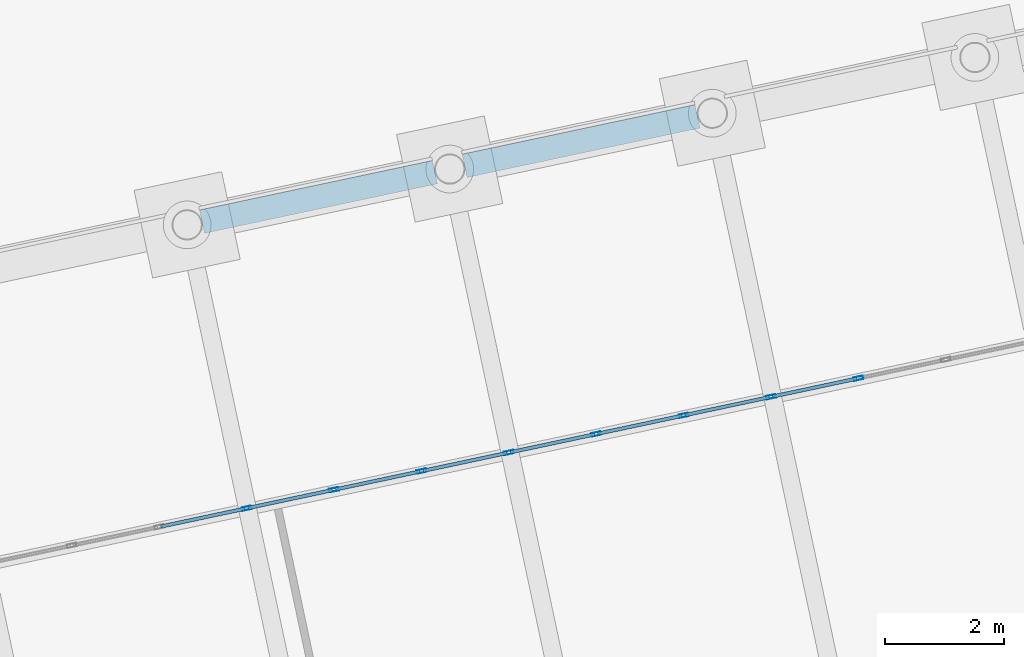
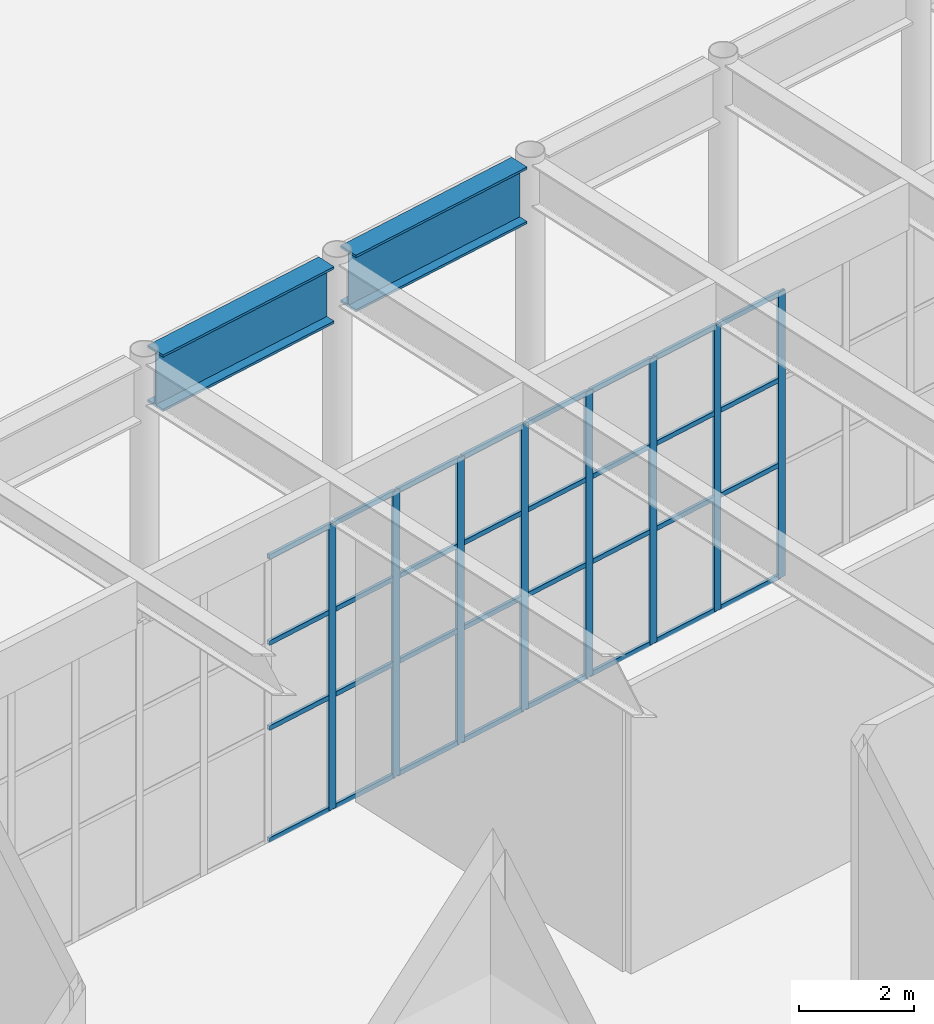
# One storey, part 58 of 239: 40 members, 2 beams, 1 element without a shape of its own.
"""IFC4 building model written with IfcOpenShell, lengths in metres."""

import ifcopenshell
import ifcopenshell.guid

model = None  # the IFC model being written
_history = None  # IfcOwnerHistory: only IFC2X3 demands one
_inside = {}  # id of a spatial element -> (the spatial element, [elements in it])
_under = {}  # id of a project, library or spatial element -> (it, [spatial elements below it])
_declared = {}  # id of a project -> (the project, [libraries it declares])
_typed = {}  # id of a type object -> (the type object, [elements of that type])
_made_of = {}  # id of a material, layer set ... -> (it, [elements and type objects made of it])


def new_model(schema):
    """Start an empty IFC model of exactly this schema.

    Asked for "IFC4X3", IfcOpenShell would pick the latest addendum, in which some entities
    have other attributes; the version numbers below select the first issue.
    IFC2X3 requires an IfcOwnerHistory on every rooted entity: one is made here for all.
    """
    global model, _history
    if schema == "IFC4X3":
        model = ifcopenshell.file(schema_version=(4, 3, 0, 0))
    else:
        model = ifcopenshell.file(schema=schema)
    _inside.clear()
    _under.clear()
    _declared.clear()
    _typed.clear()
    _made_of.clear()
    _history = None
    if model.schema == "IFC2X3":
        org = make("IfcOrganization", Name="unknown")
        user = make(
            "IfcPersonAndOrganization",
            ThePerson=make("IfcPerson", FamilyName="unknown"),
            TheOrganization=org,
        )
        app = make(
            "IfcApplication",
            ApplicationDeveloper=org,
            Version="unknown",
            ApplicationFullName="unknown",
            ApplicationIdentifier="unknown",
        )
        _history = make(
            "IfcOwnerHistory",
            OwningUser=user,
            OwningApplication=app,
            ChangeAction="ADDED",
            CreationDate=0,
        )
    return model


def make(cls, **values):
    """One entity of the class cls with the attributes given. An attribute that is None is left unset."""
    return model.create_entity(
        cls, **{name: value for name, value in values.items() if value is not None}
    )


def rooted(cls, **values):
    """An entity with a GlobalId (a new one), such as an element, a storey or a relation."""
    return make(cls, GlobalId=ifcopenshell.guid.new(), OwnerHistory=_history, **values)


def si_unit(unit_type, name, prefix=None):
    """IfcSIUnit, for example si_unit("LENGTHUNIT", "METRE", prefix="MILLI")."""
    return make("IfcSIUnit", UnitType=unit_type, Prefix=prefix, Name=name)


def assignment(units):
    """IfcUnitAssignment: the units of a project."""
    return None if units is None else make("IfcUnitAssignment", Units=units)


def point(xyz):
    """IfcCartesianPoint."""
    return None if xyz is None else make("IfcCartesianPoint", Coordinates=xyz)


def direction(xyz):
    """IfcDirection."""
    return None if xyz is None else make("IfcDirection", DirectionRatios=xyz)


def frame(location, z_axis=None, x_axis=None):
    """IfcAxis2Placement3D, a coordinate frame: its origin and axes. An axis left out is left unset."""
    return make(
        "IfcAxis2Placement3D",
        Location=point(location),
        Axis=direction(z_axis),
        RefDirection=direction(x_axis),
    )


def frame_2d(location, x_axis=None):
    """IfcAxis2Placement2D, a coordinate frame in the plane: its origin and x axis."""
    return make(
        "IfcAxis2Placement2D", Location=point(location), RefDirection=direction(x_axis)
    )


def origin():
    """The frame at (0, 0, 0) with its axes left unset."""
    return frame((0.0, 0.0, 0.0))


def origin_2d():
    """The frame at (0, 0) in the plane with its x axis left unset."""
    return frame_2d((0.0, 0.0))


def place(relative_to, where):
    """IfcLocalPlacement: puts the frame where relative to a parent placement (None: the world)."""
    return make(
        "IfcLocalPlacement", PlacementRelTo=relative_to, RelativePlacement=where
    )


def context(
    kind, dimensions, precision=None, world=None, true_north=None, identifier=None
):
    """IfcGeometricRepresentationContext, for example the 3D "Model" context."""
    return make(
        "IfcGeometricRepresentationContext",
        ContextIdentifier=identifier,
        ContextType=kind,
        CoordinateSpaceDimension=dimensions,
        Precision=precision,
        WorldCoordinateSystem=world,
        TrueNorth=true_north,
    )


def subcontext(parent, identifier, kind, view, scale=None):
    """IfcGeometricRepresentationSubContext, for example "Body" below "Model"."""
    return make(
        "IfcGeometricRepresentationSubContext",
        ContextIdentifier=identifier,
        ContextType=kind,
        ParentContext=parent,
        TargetScale=scale,
        TargetView=view,
    )


def project(units=None, contexts=None):
    """IfcProject with its units and contexts."""
    return rooted(
        "IfcProject",
        Name="project",
        RepresentationContexts=contexts,
        UnitsInContext=assignment(units),
    )


def spatial(cls, under=None, at=None, **own):
    """A site, building, storey or space (cls), placed at a placement, below another one or the project."""
    s = rooted(cls, ObjectPlacement=at, **own)
    if under is not None:
        _under.setdefault(under.id(), (under, []))[1].append(s)
    return s


def profile(cls, at=None, kind="AREA", **sizes):
    """A parametric profile (cls). Its sizes go by their IFC names, for example OverallWidth=200.0."""
    return make(cls, ProfileType=kind, Position=at, **sizes)


def hollow_rectangle(**sizes):
    """IfcRectangleHollowProfileDef."""
    return profile("IfcRectangleHollowProfileDef", **sizes)


def i_section(**sizes):
    """IfcIShapeProfileDef."""
    return profile("IfcIShapeProfileDef", **sizes)


def extrude(swept, where, along, depth):
    """IfcExtrudedAreaSolid: the profile swept, set in the frame where, extruded along a direction by depth."""
    return make(
        "IfcExtrudedAreaSolid",
        SweptArea=swept,
        Position=where,
        ExtrudedDirection=direction(along),
        Depth=depth,
    )


def shape(context_of_items, identifier, shape_type, items):
    """IfcShapeRepresentation: the items that make up one representation, for example the "Body"."""
    return make(
        "IfcShapeRepresentation",
        ContextOfItems=context_of_items,
        RepresentationIdentifier=identifier,
        RepresentationType=shape_type,
        Items=items,
    )


def material(Name=None, Category=None):
    """IfcMaterial."""
    return make("IfcMaterial", Name=Name, Category=Category)


def material_profile(
    of_material, cross_section, Name=None, Category=None, Priority=None
):
    """IfcMaterialProfile: a cross section and its material."""
    return make(
        "IfcMaterialProfile",
        Name=Name,
        Material=of_material,
        Profile=cross_section,
        Priority=Priority,
        Category=Category,
    )


def profile_set(profiles, Name=None, composite=None):
    """IfcMaterialProfileSet."""
    return make(
        "IfcMaterialProfileSet",
        Name=Name,
        MaterialProfiles=profiles,
        CompositeProfile=composite,
    )


def made_of(thing, what):
    """Note that an element or type object is made of a material, layer set ...; save() writes the relation."""
    if what is not None:
        _made_of.setdefault(what.id(), (what, []))[1].append(thing)
    return thing


def type_object(cls, material=None, **own):
    """A type object (cls), such as IfcWallType, which elements share."""
    return made_of(rooted(cls, **own), material)


def element(
    cls,
    number,
    at=None,
    inside=None,
    cuts=None,
    type_object=None,
    material=None,
    context=None,
    identifier="Body",
    shape_type=None,
    held_by="IfcProductDefinitionShape",
    body=None,
    shapes=None,
    **own,
):
    """One element of the class cls, such as IfcWall. Its Tag is "e" and its number.

    at: its placement. inside: the storey or other place that contains it. cuts: it is an
    opening in that element (IfcRelVoidsElement). A single representation is given by context,
    identifier, shape_type and body (its items); several are given by shapes. held_by: the class
    of the entity that holds the representations. save() writes the other relations.
    """
    e = rooted(cls, Tag="e%d" % number, ObjectPlacement=at, **own)
    if body is not None:
        shapes = [shape(context, identifier, shape_type, body)]
    if shapes is not None:
        e.Representation = make(held_by, Representations=shapes)
    if inside is not None:
        _inside.setdefault(inside.id(), (inside, []))[1].append(e)
    if cuts is not None:
        rooted(
            "IfcRelVoidsElement", RelatingBuildingElement=cuts, RelatedOpeningElement=e
        )
    if type_object is not None:
        _typed.setdefault(type_object.id(), (type_object, []))[1].append(e)
    return made_of(e, material)


def aggregate(whole, parts):
    """IfcRelAggregates: a whole, such as a stair, and the parts it consists of."""
    return rooted("IfcRelAggregates", RelatingObject=whole, RelatedObjects=parts)


def save(model, path):
    """Write the relations noted so far, then the file.

    IfcRelAggregates (storeys below a building ...), IfcRelContainedInSpatialStructure (elements
    in a storey), IfcRelDefinesByType, IfcRelAssociatesMaterial and IfcRelDeclares: one each for
    every whole, place, type object, material and project.
    """
    for whole, parts in _under.values():
        aggregate(whole, parts)
    for where, things in _inside.values():
        rooted(
            "IfcRelContainedInSpatialStructure",
            RelatedElements=things,
            RelatingStructure=where,
        )
    for kind, things in _typed.values():
        rooted("IfcRelDefinesByType", RelatedObjects=things, RelatingType=kind)
    for what, things in _made_of.values():
        rooted("IfcRelAssociatesMaterial", RelatedObjects=things, RelatingMaterial=what)
    for by, libraries in _declared.values():
        rooted("IfcRelDeclares", RelatingContext=by, RelatedDefinitions=libraries)
    model.write(path)


model = new_model("IFC4")

# Units and contexts
model_context = context("Model", 3, precision=1e-05, world=origin(), true_north=direction((0.0, 1.0)))
body_context = subcontext(model_context, "Body", "Model", "MODEL_VIEW")
ifc_project = project(units=[si_unit("LENGTHUNIT", "METRE"), si_unit("AREAUNIT", "SQUARE_METRE"), si_unit("VOLUMEUNIT", "CUBIC_METRE"), si_unit("PLANEANGLEUNIT", "RADIAN"), si_unit("MASSUNIT", "GRAM", prefix="KILO")], contexts=[model_context])

# Site, building, storey
site_placement = place(None, origin())
site = spatial("IfcSite", under=ifc_project, at=site_placement, CompositionType="ELEMENT")
building_placement = place(site_placement, origin())
building = spatial("IfcBuilding", under=site, at=building_placement, Name="Okhra Congress Centre", CompositionType="ELEMENT")
storey_placement = place(building_placement, origin())
storey = spatial("IfcBuildingStorey", under=building, at=storey_placement, Name="L00", CompositionType="ELEMENT", Elevation=0.0)

# Curtain wall, members
ifc_material_1 = material(Name="Aluminium curtain wall, triple glazing", Category="aluminium")
curtain_wall_type = type_object("IfcCurtainWallType", Name="Curtain wall 1500 module", PredefinedType="NOTDEFINED", material=ifc_material_1)
curtain_wall_placement = place(storey_placement, origin())
curtain_wall = element("IfcCurtainWall", 1, at=curtain_wall_placement, inside=storey, type_object=curtain_wall_type, Name="Ground curtain wall N7", PredefinedType="NOTDEFINED")
ifc_material_2 = material(Name="Aluminium alloy EN AW-6063 T66", Category="aluminium")
ifc_material_profile_1 = material_profile(ifc_material_2, hollow_rectangle(XDim=0.06005859375, YDim=0.159912109375, WallThickness=0.00390625, at=origin_2d()), Name="RHS 60x160x4")
ifc_profile_set_1 = profile_set([ifc_material_profile_1], Name="Aluminium alloy EN AW-6063 T66")
member_type_1 = type_object("IfcMemberType", Name="Curtain wall mullion 60x160", PredefinedType="MULLION", material=ifc_profile_set_1)
member_1_placement = place(storey_placement, frame((79.02587890625, 50.211181640625, 0.0), z_axis=(0.0, 0.0, 1.0), x_axis=(-0.207911690818, 0.978147600734, 0.0)))
member_1 = element("IfcMember", 2, at=member_1_placement, type_object=member_type_1, Name="CW7 mullion 7", PredefinedType="MULLION", context=body_context, shape_type="SweptSolid", body=[
    extrude(hollow_rectangle(XDim=0.06005859375, YDim=0.159912109375, WallThickness=0.00390625, at=origin_2d()), origin(), (0.0, 0.0, 1.0), 6.050048828125),
])
member_2_placement = place(storey_placement, frame((80.490966796875, 50.5224609375, 0.0), z_axis=(0.0, 0.0, 1.0), x_axis=(-0.207911690818, 0.978147600734, 0.0)))
member_2 = element("IfcMember", 3, at=member_2_placement, type_object=member_type_1, Name="CW7 mullion 8", PredefinedType="MULLION", context=body_context, shape_type="SweptSolid", body=[
    extrude(hollow_rectangle(XDim=0.06005859375, YDim=0.159912109375, WallThickness=0.00390625, at=origin_2d()), origin(), (0.0, 0.0, 1.0), 6.050048828125),
])
member_3_placement = place(storey_placement, frame((81.955810546875, 50.833984375, 0.0), z_axis=(0.0, 0.0, 1.0), x_axis=(-0.207911690818, 0.978147600734, 0.0)))
member_3 = element("IfcMember", 4, at=member_3_placement, type_object=member_type_1, Name="CW7 mullion 9", PredefinedType="MULLION", context=body_context, shape_type="SweptSolid", body=[
    extrude(hollow_rectangle(XDim=0.06005859375, YDim=0.159912109375, WallThickness=0.00390625, at=origin_2d()), origin(), (0.0, 0.0, 1.0), 6.050048828125),
])
member_4_placement = place(storey_placement, frame((83.4208984375, 51.145263671875, 0.0), z_axis=(0.0, 0.0, 1.0), x_axis=(-0.207911690818, 0.978147600734, 0.0)))
member_4 = element("IfcMember", 5, at=member_4_placement, type_object=member_type_1, Name="CW7 mullion 10", PredefinedType="MULLION", context=body_context, shape_type="SweptSolid", body=[
    extrude(hollow_rectangle(XDim=0.06005859375, YDim=0.159912109375, WallThickness=0.00390625, at=origin_2d()), origin(), (0.0, 0.0, 1.0), 6.050048828125),
])
member_5_placement = place(storey_placement, frame((84.885986328125, 51.456787109375, 0.0), z_axis=(0.0, 0.0, 1.0), x_axis=(-0.207911690818, 0.978147600734, 0.0)))
member_5 = element("IfcMember", 6, at=member_5_placement, type_object=member_type_1, Name="CW7 mullion 11", PredefinedType="MULLION", context=body_context, shape_type="SweptSolid", body=[
    extrude(hollow_rectangle(XDim=0.06005859375, YDim=0.159912109375, WallThickness=0.00390625, at=origin_2d()), origin(), (0.0, 0.0, 1.0), 6.050048828125),
])
member_6_placement = place(storey_placement, frame((86.35107421875, 51.76806640625, 0.0), z_axis=(0.0, 0.0, 1.0), x_axis=(-0.207911690818, 0.978147600734, 0.0)))
member_6 = element("IfcMember", 7, at=member_6_placement, type_object=member_type_1, Name="CW7 mullion 12", PredefinedType="MULLION", context=body_context, shape_type="SweptSolid", body=[
    extrude(hollow_rectangle(XDim=0.06005859375, YDim=0.159912109375, WallThickness=0.00390625, at=origin_2d()), origin(), (0.0, 0.0, 1.0), 6.050048828125),
])
member_7_placement = place(storey_placement, frame((87.816162109375, 52.07958984375, 0.0), z_axis=(0.0, 0.0, 1.0), x_axis=(-0.207911690818, 0.978147600734, 0.0)))
member_7 = element("IfcMember", 8, at=member_7_placement, type_object=member_type_1, Name="CW7 mullion 13", PredefinedType="MULLION", context=body_context, shape_type="SweptSolid", body=[
    extrude(hollow_rectangle(XDim=0.06005859375, YDim=0.159912109375, WallThickness=0.00390625, at=origin_2d()), origin(), (0.0, 0.0, 1.0), 6.050048828125),
])
member_8_placement = place(storey_placement, frame((89.28125, 52.390869140625, 0.0), z_axis=(0.0, 0.0, 1.0), x_axis=(-0.207911690818, 0.978147600734, 0.0)))
member_8 = element("IfcMember", 9, at=member_8_placement, type_object=member_type_1, Name="CW7 mullion 14", PredefinedType="MULLION", context=body_context, shape_type="SweptSolid", body=[
    extrude(hollow_rectangle(XDim=0.06005859375, YDim=0.159912109375, WallThickness=0.00390625, at=origin_2d()), origin(), (0.0, 0.0, 1.0), 6.050048828125),
])
ifc_material_profile_2 = material_profile(ifc_material_2, hollow_rectangle(XDim=0.06005859375, YDim=0.10009765625, WallThickness=0.00390625, at=origin_2d()), Name="RHS 60x100x4")
ifc_profile_set_2 = profile_set([ifc_material_profile_2], Name="Aluminium alloy EN AW-6063 T66")
member_type_2 = type_object("IfcMemberType", Name="Curtain wall transom 60x100", PredefinedType="USERDEFINED", material=ifc_profile_set_2)
member_9_placement = place(storey_placement, frame((77.590087890625, 49.906005859375, 0.030029296875), z_axis=(0.978158850918, 0.20785875582, 0.0), x_axis=(-0.20785875582, 0.978158850918, 0.0)))
member_9 = element("IfcMember", 10, at=member_9_placement, type_object=member_type_2, Name="CW7 transom 6.1", ObjectType="TRANSOM", PredefinedType="USERDEFINED", context=body_context, shape_type="SweptSolid", body=[
    extrude(hollow_rectangle(XDim=0.06005859375, YDim=0.10009765625, WallThickness=0.00390625, at=origin_2d()), origin(), (0.0, 0.0, 1.0), 1.437744140625),
])
member_10_placement = place(storey_placement, frame((77.590087890625, 49.906005859375, 2.39990234375), z_axis=(0.978158850918, 0.20785875582, 0.0), x_axis=(-0.20785875582, 0.978158850918, 0.0)))
member_10 = element("IfcMember", 11, at=member_10_placement, type_object=member_type_2, Name="CW7 transom 6.2", ObjectType="TRANSOM", PredefinedType="USERDEFINED", context=body_context, shape_type="SweptSolid", body=[
    extrude(hollow_rectangle(XDim=0.06005859375, YDim=0.10009765625, WallThickness=0.00390625, at=origin_2d()), origin(), (0.0, 0.0, 1.0), 1.437744140625),
])
member_11_placement = place(storey_placement, frame((77.590087890625, 49.906005859375, 4.199951171875), z_axis=(0.978158850918, 0.20785875582, 0.0), x_axis=(-0.20785875582, 0.978158850918, 0.0)))
member_11 = element("IfcMember", 12, at=member_11_placement, type_object=member_type_2, Name="CW7 transom 6.3", ObjectType="TRANSOM", PredefinedType="USERDEFINED", context=body_context, shape_type="SweptSolid", body=[
    extrude(hollow_rectangle(XDim=0.06005859375, YDim=0.10009765625, WallThickness=0.00390625, at=origin_2d()), origin(), (0.0, 0.0, 1.0), 1.437744140625),
])
member_12_placement = place(storey_placement, frame((77.590087890625, 49.906005859375, 6.02001953125), z_axis=(0.978158850918, 0.20785875582, 0.0), x_axis=(-0.20785875582, 0.978158850918, 0.0)))
member_12 = element("IfcMember", 13, at=member_12_placement, type_object=member_type_2, Name="CW7 transom 6.4", ObjectType="TRANSOM", PredefinedType="USERDEFINED", context=body_context, shape_type="SweptSolid", body=[
    extrude(hollow_rectangle(XDim=0.06005859375, YDim=0.10009765625, WallThickness=0.00390625, at=origin_2d()), origin(), (0.0, 0.0, 1.0), 1.437744140625),
])
member_13_placement = place(storey_placement, frame((79.05517578125, 50.21728515625, 0.030029296875), z_axis=(0.978124311184, 0.208021229375, 0.0), x_axis=(-0.208021229375, 0.978124311184, 0.0)))
member_13 = element("IfcMember", 14, at=member_13_placement, type_object=member_type_2, Name="CW7 transom 7.1", ObjectType="TRANSOM", PredefinedType="USERDEFINED", context=body_context, shape_type="SweptSolid", body=[
    extrude(hollow_rectangle(XDim=0.06005859375, YDim=0.10009765625, WallThickness=0.00390625, at=origin_2d()), origin(), (0.0, 0.0, 1.0), 1.437744140625),
])
member_14_placement = place(storey_placement, frame((79.05517578125, 50.21728515625, 2.39990234375), z_axis=(0.978124311184, 0.208021229375, 0.0), x_axis=(-0.208021229375, 0.978124311184, 0.0)))
member_14 = element("IfcMember", 15, at=member_14_placement, type_object=member_type_2, Name="CW7 transom 7.2", ObjectType="TRANSOM", PredefinedType="USERDEFINED", context=body_context, shape_type="SweptSolid", body=[
    extrude(hollow_rectangle(XDim=0.06005859375, YDim=0.10009765625, WallThickness=0.00390625, at=origin_2d()), origin(), (0.0, 0.0, 1.0), 1.437744140625),
])
member_15_placement = place(storey_placement, frame((79.05517578125, 50.21728515625, 4.199951171875), z_axis=(0.978124311184, 0.208021229375, 0.0), x_axis=(-0.208021229375, 0.978124311184, 0.0)))
member_15 = element("IfcMember", 16, at=member_15_placement, type_object=member_type_2, Name="CW7 transom 7.3", ObjectType="TRANSOM", PredefinedType="USERDEFINED", context=body_context, shape_type="SweptSolid", body=[
    extrude(hollow_rectangle(XDim=0.06005859375, YDim=0.10009765625, WallThickness=0.00390625, at=origin_2d()), origin(), (0.0, 0.0, 1.0), 1.437744140625),
])
member_16_placement = place(storey_placement, frame((79.05517578125, 50.21728515625, 6.02001953125), z_axis=(0.978124311184, 0.208021229375, 0.0), x_axis=(-0.208021229375, 0.978124311184, 0.0)))
member_16 = element("IfcMember", 17, at=member_16_placement, type_object=member_type_2, Name="CW7 transom 7.4", ObjectType="TRANSOM", PredefinedType="USERDEFINED", context=body_context, shape_type="SweptSolid", body=[
    extrude(hollow_rectangle(XDim=0.06005859375, YDim=0.10009765625, WallThickness=0.00390625, at=origin_2d()), origin(), (0.0, 0.0, 1.0), 1.437744140625),
])
member_17_placement = place(storey_placement, frame((80.520263671875, 50.52880859375, 0.030029296875), z_axis=(0.978158850918, 0.20785875582, 0.0), x_axis=(-0.20785875582, 0.978158850918, 0.0)))
member_17 = element("IfcMember", 18, at=member_17_placement, type_object=member_type_2, Name="CW7 transom 8.1", ObjectType="TRANSOM", PredefinedType="USERDEFINED", context=body_context, shape_type="SweptSolid", body=[
    extrude(hollow_rectangle(XDim=0.06005859375, YDim=0.10009765625, WallThickness=0.00390625, at=origin_2d()), origin(), (0.0, 0.0, 1.0), 1.437744140625),
])
member_18_placement = place(storey_placement, frame((80.520263671875, 50.52880859375, 2.39990234375), z_axis=(0.978158850918, 0.20785875582, 0.0), x_axis=(-0.20785875582, 0.978158850918, 0.0)))
member_18 = element("IfcMember", 19, at=member_18_placement, type_object=member_type_2, Name="CW7 transom 8.2", ObjectType="TRANSOM", PredefinedType="USERDEFINED", context=body_context, shape_type="SweptSolid", body=[
    extrude(hollow_rectangle(XDim=0.06005859375, YDim=0.10009765625, WallThickness=0.00390625, at=origin_2d()), origin(), (0.0, 0.0, 1.0), 1.437744140625),
])
member_19_placement = place(storey_placement, frame((80.520263671875, 50.52880859375, 4.199951171875), z_axis=(0.978158850918, 0.20785875582, 0.0), x_axis=(-0.20785875582, 0.978158850918, 0.0)))
member_19 = element("IfcMember", 20, at=member_19_placement, type_object=member_type_2, Name="CW7 transom 8.3", ObjectType="TRANSOM", PredefinedType="USERDEFINED", context=body_context, shape_type="SweptSolid", body=[
    extrude(hollow_rectangle(XDim=0.06005859375, YDim=0.10009765625, WallThickness=0.00390625, at=origin_2d()), origin(), (0.0, 0.0, 1.0), 1.437744140625),
])
member_20_placement = place(storey_placement, frame((80.520263671875, 50.52880859375, 6.02001953125), z_axis=(0.978158850918, 0.20785875582, 0.0), x_axis=(-0.20785875582, 0.978158850918, 0.0)))
member_20 = element("IfcMember", 21, at=member_20_placement, type_object=member_type_2, Name="CW7 transom 8.4", ObjectType="TRANSOM", PredefinedType="USERDEFINED", context=body_context, shape_type="SweptSolid", body=[
    extrude(hollow_rectangle(XDim=0.06005859375, YDim=0.10009765625, WallThickness=0.00390625, at=origin_2d()), origin(), (0.0, 0.0, 1.0), 1.437744140625),
])
member_21_placement = place(storey_placement, frame((81.9853515625, 50.840087890625, 0.030029296875), z_axis=(0.978124311184, 0.208021229375, 0.0), x_axis=(-0.208021229375, 0.978124311184, 0.0)))
member_21 = element("IfcMember", 22, at=member_21_placement, type_object=member_type_2, Name="CW7 transom 9.1", ObjectType="TRANSOM", PredefinedType="USERDEFINED", context=body_context, shape_type="SweptSolid", body=[
    extrude(hollow_rectangle(XDim=0.06005859375, YDim=0.10009765625, WallThickness=0.00390625, at=origin_2d()), origin(), (0.0, 0.0, 1.0), 1.437744140625),
])
member_22_placement = place(storey_placement, frame((81.9853515625, 50.840087890625, 2.39990234375), z_axis=(0.978124311184, 0.208021229375, 0.0), x_axis=(-0.208021229375, 0.978124311184, 0.0)))
member_22 = element("IfcMember", 23, at=member_22_placement, type_object=member_type_2, Name="CW7 transom 9.2", ObjectType="TRANSOM", PredefinedType="USERDEFINED", context=body_context, shape_type="SweptSolid", body=[
    extrude(hollow_rectangle(XDim=0.06005859375, YDim=0.10009765625, WallThickness=0.00390625, at=origin_2d()), origin(), (0.0, 0.0, 1.0), 1.437744140625),
])
member_23_placement = place(storey_placement, frame((81.9853515625, 50.840087890625, 4.199951171875), z_axis=(0.978124311184, 0.208021229375, 0.0), x_axis=(-0.208021229375, 0.978124311184, 0.0)))
member_23 = element("IfcMember", 24, at=member_23_placement, type_object=member_type_2, Name="CW7 transom 9.3", ObjectType="TRANSOM", PredefinedType="USERDEFINED", context=body_context, shape_type="SweptSolid", body=[
    extrude(hollow_rectangle(XDim=0.06005859375, YDim=0.10009765625, WallThickness=0.00390625, at=origin_2d()), origin(), (0.0, 0.0, 1.0), 1.437744140625),
])
member_24_placement = place(storey_placement, frame((81.9853515625, 50.840087890625, 6.02001953125), z_axis=(0.978124311184, 0.208021229375, 0.0), x_axis=(-0.208021229375, 0.978124311184, 0.0)))
member_24 = element("IfcMember", 25, at=member_24_placement, type_object=member_type_2, Name="CW7 transom 9.4", ObjectType="TRANSOM", PredefinedType="USERDEFINED", context=body_context, shape_type="SweptSolid", body=[
    extrude(hollow_rectangle(XDim=0.06005859375, YDim=0.10009765625, WallThickness=0.00390625, at=origin_2d()), origin(), (0.0, 0.0, 1.0), 1.437744140625),
])
member_25_placement = place(storey_placement, frame((83.4501953125, 51.151611328125, 0.030029296875), z_axis=(0.978166186175, 0.207824233966, 0.0), x_axis=(-0.207824233966, 0.978166186175, 0.0)))
member_25 = element("IfcMember", 26, at=member_25_placement, type_object=member_type_2, Name="CW7 transom 10.1", ObjectType="TRANSOM", PredefinedType="USERDEFINED", context=body_context, shape_type="SweptSolid", body=[
    extrude(hollow_rectangle(XDim=0.06005859375, YDim=0.10009765625, WallThickness=0.00390625, at=origin_2d()), origin(), (0.0, 0.0, 1.0), 1.43798828125),
])
member_26_placement = place(storey_placement, frame((83.4501953125, 51.151611328125, 2.39990234375), z_axis=(0.978166186175, 0.207824233966, 0.0), x_axis=(-0.207824233966, 0.978166186175, 0.0)))
member_26 = element("IfcMember", 27, at=member_26_placement, type_object=member_type_2, Name="CW7 transom 10.2", ObjectType="TRANSOM", PredefinedType="USERDEFINED", context=body_context, shape_type="SweptSolid", body=[
    extrude(hollow_rectangle(XDim=0.06005859375, YDim=0.10009765625, WallThickness=0.00390625, at=origin_2d()), origin(), (0.0, 0.0, 1.0), 1.43798828125),
])
member_27_placement = place(storey_placement, frame((83.4501953125, 51.151611328125, 4.199951171875), z_axis=(0.978166186175, 0.207824233966, 0.0), x_axis=(-0.207824233966, 0.978166186175, 0.0)))
member_27 = element("IfcMember", 28, at=member_27_placement, type_object=member_type_2, Name="CW7 transom 10.3", ObjectType="TRANSOM", PredefinedType="USERDEFINED", context=body_context, shape_type="SweptSolid", body=[
    extrude(hollow_rectangle(XDim=0.06005859375, YDim=0.10009765625, WallThickness=0.00390625, at=origin_2d()), origin(), (0.0, 0.0, 1.0), 1.43798828125),
])
member_28_placement = place(storey_placement, frame((83.4501953125, 51.151611328125, 6.02001953125), z_axis=(0.978166186175, 0.207824233966, 0.0), x_axis=(-0.207824233966, 0.978166186175, 0.0)))
member_28 = element("IfcMember", 29, at=member_28_placement, type_object=member_type_2, Name="CW7 transom 10.4", ObjectType="TRANSOM", PredefinedType="USERDEFINED", context=body_context, shape_type="SweptSolid", body=[
    extrude(hollow_rectangle(XDim=0.06005859375, YDim=0.10009765625, WallThickness=0.00390625, at=origin_2d()), origin(), (0.0, 0.0, 1.0), 1.43798828125),
])
member_29_placement = place(storey_placement, frame((84.915283203125, 51.462890625, 0.030029296875), z_axis=(0.978131657654, 0.207986682976, 0.0), x_axis=(-0.207986682976, 0.978131657654, 0.0)))
member_29 = element("IfcMember", 30, at=member_29_placement, type_object=member_type_2, Name="CW7 transom 11.1", ObjectType="TRANSOM", PredefinedType="USERDEFINED", context=body_context, shape_type="SweptSolid", body=[
    extrude(hollow_rectangle(XDim=0.06005859375, YDim=0.10009765625, WallThickness=0.00390625, at=origin_2d()), origin(), (0.0, 0.0, 1.0), 1.43798828125),
])
member_30_placement = place(storey_placement, frame((84.915283203125, 51.462890625, 2.39990234375), z_axis=(0.978131657654, 0.207986682976, 0.0), x_axis=(-0.207986682976, 0.978131657654, 0.0)))
member_30 = element("IfcMember", 31, at=member_30_placement, type_object=member_type_2, Name="CW7 transom 11.2", ObjectType="TRANSOM", PredefinedType="USERDEFINED", context=body_context, shape_type="SweptSolid", body=[
    extrude(hollow_rectangle(XDim=0.06005859375, YDim=0.10009765625, WallThickness=0.00390625, at=origin_2d()), origin(), (0.0, 0.0, 1.0), 1.43798828125),
])
member_31_placement = place(storey_placement, frame((84.915283203125, 51.462890625, 4.199951171875), z_axis=(0.978131657654, 0.207986682976, 0.0), x_axis=(-0.207986682976, 0.978131657654, 0.0)))
member_31 = element("IfcMember", 32, at=member_31_placement, type_object=member_type_2, Name="CW7 transom 11.3", ObjectType="TRANSOM", PredefinedType="USERDEFINED", context=body_context, shape_type="SweptSolid", body=[
    extrude(hollow_rectangle(XDim=0.06005859375, YDim=0.10009765625, WallThickness=0.00390625, at=origin_2d()), origin(), (0.0, 0.0, 1.0), 1.43798828125),
])
member_32_placement = place(storey_placement, frame((84.915283203125, 51.462890625, 6.02001953125), z_axis=(0.978131657654, 0.207986682976, 0.0), x_axis=(-0.207986682976, 0.978131657654, 0.0)))
member_32 = element("IfcMember", 33, at=member_32_placement, type_object=member_type_2, Name="CW7 transom 11.4", ObjectType="TRANSOM", PredefinedType="USERDEFINED", context=body_context, shape_type="SweptSolid", body=[
    extrude(hollow_rectangle(XDim=0.06005859375, YDim=0.10009765625, WallThickness=0.00390625, at=origin_2d()), origin(), (0.0, 0.0, 1.0), 1.43798828125),
])
member_33_placement = place(storey_placement, frame((86.38037109375, 51.7744140625, 0.030029296875), z_axis=(0.978158850918, 0.20785875582, 0.0), x_axis=(-0.20785875582, 0.978158850918, 0.0)))
member_33 = element("IfcMember", 34, at=member_33_placement, type_object=member_type_2, Name="CW7 transom 12.1", ObjectType="TRANSOM", PredefinedType="USERDEFINED", context=body_context, shape_type="SweptSolid", body=[
    extrude(hollow_rectangle(XDim=0.06005859375, YDim=0.10009765625, WallThickness=0.00390625, at=origin_2d()), origin(), (0.0, 0.0, 1.0), 1.437744140625),
])
member_34_placement = place(storey_placement, frame((86.38037109375, 51.7744140625, 2.39990234375), z_axis=(0.978158850918, 0.20785875582, 0.0), x_axis=(-0.20785875582, 0.978158850918, 0.0)))
member_34 = element("IfcMember", 35, at=member_34_placement, type_object=member_type_2, Name="CW7 transom 12.2", ObjectType="TRANSOM", PredefinedType="USERDEFINED", context=body_context, shape_type="SweptSolid", body=[
    extrude(hollow_rectangle(XDim=0.06005859375, YDim=0.10009765625, WallThickness=0.00390625, at=origin_2d()), origin(), (0.0, 0.0, 1.0), 1.437744140625),
])
member_35_placement = place(storey_placement, frame((86.38037109375, 51.7744140625, 4.199951171875), z_axis=(0.978158850918, 0.20785875582, 0.0), x_axis=(-0.20785875582, 0.978158850918, 0.0)))
member_35 = element("IfcMember", 36, at=member_35_placement, type_object=member_type_2, Name="CW7 transom 12.3", ObjectType="TRANSOM", PredefinedType="USERDEFINED", context=body_context, shape_type="SweptSolid", body=[
    extrude(hollow_rectangle(XDim=0.06005859375, YDim=0.10009765625, WallThickness=0.00390625, at=origin_2d()), origin(), (0.0, 0.0, 1.0), 1.437744140625),
])
member_36_placement = place(storey_placement, frame((86.38037109375, 51.7744140625, 6.02001953125), z_axis=(0.978158850918, 0.20785875582, 0.0), x_axis=(-0.20785875582, 0.978158850918, 0.0)))
member_36 = element("IfcMember", 37, at=member_36_placement, type_object=member_type_2, Name="CW7 transom 12.4", ObjectType="TRANSOM", PredefinedType="USERDEFINED", context=body_context, shape_type="SweptSolid", body=[
    extrude(hollow_rectangle(XDim=0.06005859375, YDim=0.10009765625, WallThickness=0.00390625, at=origin_2d()), origin(), (0.0, 0.0, 1.0), 1.437744140625),
])
member_37_placement = place(storey_placement, frame((87.845458984375, 52.085693359375, 0.030029296875), z_axis=(0.978124311184, 0.208021229375, 0.0), x_axis=(-0.208021229375, 0.978124311184, 0.0)))
member_37 = element("IfcMember", 38, at=member_37_placement, type_object=member_type_2, Name="CW7 transom 13.1", ObjectType="TRANSOM", PredefinedType="USERDEFINED", context=body_context, shape_type="SweptSolid", body=[
    extrude(hollow_rectangle(XDim=0.06005859375, YDim=0.10009765625, WallThickness=0.00390625, at=origin_2d()), origin(), (0.0, 0.0, 1.0), 1.437744140625),
])
member_38_placement = place(storey_placement, frame((87.845458984375, 52.085693359375, 2.39990234375), z_axis=(0.978124311184, 0.208021229375, 0.0), x_axis=(-0.208021229375, 0.978124311184, 0.0)))
member_38 = element("IfcMember", 39, at=member_38_placement, type_object=member_type_2, Name="CW7 transom 13.2", ObjectType="TRANSOM", PredefinedType="USERDEFINED", context=body_context, shape_type="SweptSolid", body=[
    extrude(hollow_rectangle(XDim=0.06005859375, YDim=0.10009765625, WallThickness=0.00390625, at=origin_2d()), origin(), (0.0, 0.0, 1.0), 1.437744140625),
])
member_39_placement = place(storey_placement, frame((87.845458984375, 52.085693359375, 4.199951171875), z_axis=(0.978124311184, 0.208021229375, 0.0), x_axis=(-0.208021229375, 0.978124311184, 0.0)))
member_39 = element("IfcMember", 40, at=member_39_placement, type_object=member_type_2, Name="CW7 transom 13.3", ObjectType="TRANSOM", PredefinedType="USERDEFINED", context=body_context, shape_type="SweptSolid", body=[
    extrude(hollow_rectangle(XDim=0.06005859375, YDim=0.10009765625, WallThickness=0.00390625, at=origin_2d()), origin(), (0.0, 0.0, 1.0), 1.437744140625),
])
member_40_placement = place(storey_placement, frame((87.845458984375, 52.085693359375, 6.02001953125), z_axis=(0.978124311184, 0.208021229375, 0.0), x_axis=(-0.208021229375, 0.978124311184, 0.0)))
member_40 = element("IfcMember", 41, at=member_40_placement, type_object=member_type_2, Name="CW7 transom 13.4", ObjectType="TRANSOM", PredefinedType="USERDEFINED", context=body_context, shape_type="SweptSolid", body=[
    extrude(hollow_rectangle(XDim=0.06005859375, YDim=0.10009765625, WallThickness=0.00390625, at=origin_2d()), origin(), (0.0, 0.0, 1.0), 1.437744140625),
])
aggregate(curtain_wall, [member_1, member_2, member_3, member_4, member_5, member_6, member_7, member_8, member_9, member_10, member_11, member_12, member_13, member_14, member_15, member_16, member_17, member_18, member_19, member_20, member_21, member_22, member_23, member_24, member_25, member_26, member_27, member_28, member_29, member_30, member_31, member_32, member_33, member_34, member_35, member_36, member_37, member_38, member_39, member_40])

# Beams
ifc_material_3 = material(Name="Steel S355J2", Category="steel")
ifc_material_profile_3 = material_profile(ifc_material_3, i_section(OverallWidth=0.39990234375, OverallDepth=1.199951171875, WebThickness=0.02490234375, FlangeThickness=0.050048828125, at=origin_2d()), Name="Plate girder 1200x400")
ifc_profile_set_3 = profile_set([ifc_material_profile_3], Name="Steel S355J2")
beam_type = type_object("IfcBeamType", Name="Perimeter plate girder 1200x400", PredefinedType="BEAM", material=ifc_profile_set_3)
for number, where, z_axis, x_axis, name in (
    (42, (78.27783203125, 55.015625, 6.449951171875), (0.978142994281, 0.207933361295, 0.0), (-0.207933361295, 0.978142994281, 0.0), "Perimeter girder N3"),
    (43, (82.679443359375, 55.951171875, 6.449951171875), (0.978142994281, 0.207933361295, 0.0), (-0.207933361295, 0.978142994281, 0.0), "Perimeter girder N4"),
):
    element("IfcBeam", number, at=place(storey_placement, frame(where, z_axis=z_axis, x_axis=x_axis)), inside=storey, type_object=beam_type, Name=name, PredefinedType="BEAM", context=body_context, shape_type="SweptSolid", body=[
        extrude(i_section(OverallWidth=0.39990234375, OverallDepth=1.199951171875, WebThickness=0.02490234375, FlangeThickness=0.050048828125, at=origin_2d()), origin(), (0.0, 0.0, 1.0), 3.991943359375),
    ])

save(model, "model.ifc")
